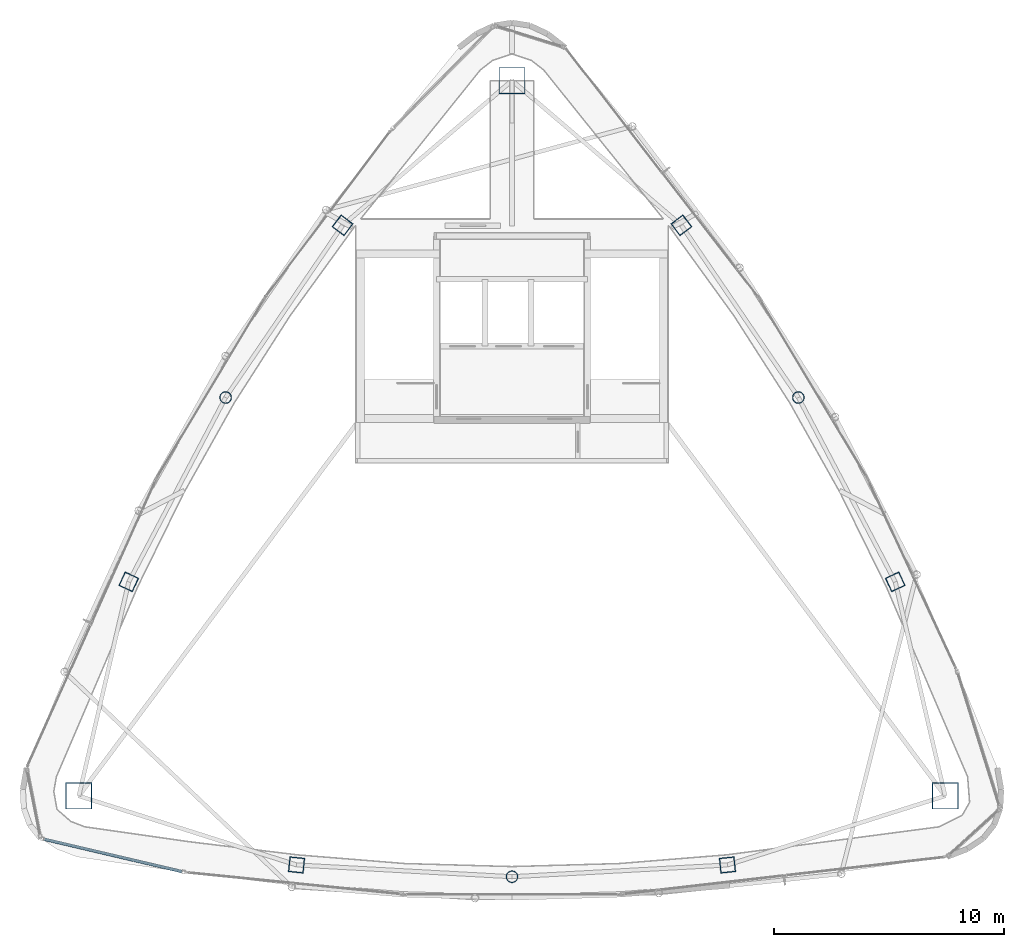
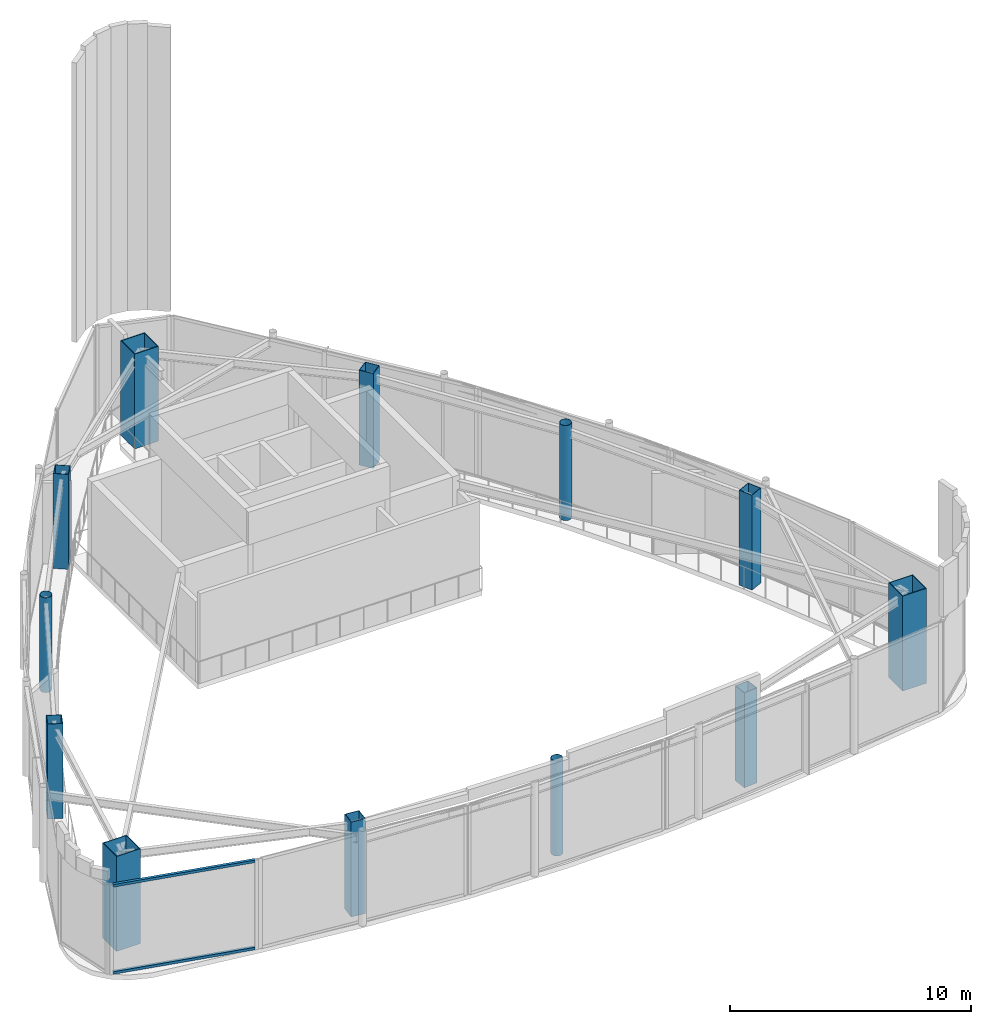
# One storey, part 1 of 18: 12 columns, 2 members, 1 element without a shape of its own.
"""IFC4 building model written with IfcOpenShell, lengths in metres."""

from ifc_helpers import new_model, si_unit, direction, frame, origin, origin_2d, place, context, subcontext, project, spatial, hollow_rectangle, hollow_circle, extrude, material, layer, layer_set, material_profile, profile_set, type_object, element, aggregate, save


model = new_model("IFC4")

# Units and contexts
model_context = context("Model", 3, precision=1e-05, world=origin(), true_north=direction((0.0, 1.0)))
body_context = subcontext(model_context, "Body", "Model", "MODEL_VIEW")
ifc_project = project(units=[si_unit("LENGTHUNIT", "METRE"), si_unit("AREAUNIT", "SQUARE_METRE"), si_unit("VOLUMEUNIT", "CUBIC_METRE"), si_unit("PLANEANGLEUNIT", "RADIAN"), si_unit("MASSUNIT", "GRAM", prefix="KILO")], contexts=[model_context])

# Site, building, storey
site_placement = place(None, origin())
site = spatial("IfcSite", under=ifc_project, at=site_placement, CompositionType="ELEMENT")
building_placement = place(site_placement, origin())
building = spatial("IfcBuilding", under=site, at=building_placement, Name="Orvanel Arch Residences", CompositionType="ELEMENT")
storey_placement = place(building_placement, frame((0.0, 0.0, 310.10009765625)))
storey = spatial("IfcBuildingStorey", under=building, at=storey_placement, Name="L86", CompositionType="ELEMENT", Elevation=310.10009765625)

# Columns
ifc_material_1 = material(Name="Structural steel AS/NZS 1163 C350L0 (Grade 350)", Category="steel")
ifc_material_profile_1 = material_profile(ifc_material_1, hollow_circle(Radius=0.25390625, WallThickness=0.01611328125, at=origin_2d()), Name="CHS508x16")
ifc_profile_set_1 = profile_set([ifc_material_profile_1], Name="Structural steel AS/NZS 1163 C350L0 (Grade 350)")
column_type_1 = type_object("IfcColumnType", Name="CC-508", PredefinedType="COLUMN", material=ifc_profile_set_1)
for number, where, z_axis, x_axis, name in (
    (1, (20.569091796875, 27.64111328125, 0.0), (0.0, 0.0, 1.0), (1.0, 0.0, 0.0), "L86 High-Rise Tube Column 02"),
    (2, (33.0, 6.843994140625, 0.0), (0.0, 0.0, 1.0), (1.0, 0.0, 0.0), "L86 High-Rise Tube Column 05"),
    (3, (45.430908203125, 27.64111328125, 0.0), (0.0, 0.0, 1.0), (1.0, 0.0, 0.0), "L86 High-Rise Tube Column 08"),
):
    element("IfcColumn", number, at=place(storey_placement, frame(where, z_axis=z_axis, x_axis=x_axis)), inside=storey, type_object=column_type_1, Name=name, PredefinedType="COLUMN", context=body_context, shape_type="SweptSolid", body=[
        extrude(hollow_circle(Radius=0.25390625, WallThickness=0.01611328125, at=origin_2d()), origin(), (0.0, 0.0, 1.0), 4.7998046875),
    ])
ifc_material_2 = material(Name="Structural steel AS/NZS 3678 Grade 450", Category="steel")
ifc_material_profile_2 = material_profile(ifc_material_2, hollow_rectangle(XDim=1.14990234375, YDim=1.14990234375, WallThickness=0.035888671875, at=origin_2d()), Name="BOX1150x1150x36")
ifc_profile_set_2 = profile_set([ifc_material_profile_2], Name="Structural steel AS/NZS 3678 Grade 450")
column_type_2 = type_object("IfcColumnType", Name="MC-1150", PredefinedType="COLUMN", material=ifc_profile_set_2)
for number, where, z_axis, x_axis, name in (
    (4, (33.0, 41.39794921875, 0.0), (0.0, 0.0, 1.0), (1.0, 0.0, 0.0), "L86 Corner Mega-Column 1"),
    (5, (14.198974609375, 10.35107421875, 0.0), (0.0, 0.0, 1.0), (1.0, 0.0, 0.0), "L86 Corner Mega-Column 2"),
    (6, (51.801025390625, 10.35107421875, 0.0), (0.0, 0.0, 1.0), (1.0, 0.0, 0.0), "L86 Corner Mega-Column 3"),
):
    element("IfcColumn", number, at=place(storey_placement, frame(where, z_axis=z_axis, x_axis=x_axis)), inside=storey, type_object=column_type_2, Name=name, PredefinedType="COLUMN", context=body_context, shape_type="SweptSolid", body=[
        extrude(hollow_rectangle(XDim=1.14990234375, YDim=1.14990234375, WallThickness=0.035888671875, at=origin_2d()), origin(), (0.0, 0.0, 1.0), 4.7998046875),
    ])
ifc_material_3 = material(Name="Structural steel AS/NZS 3678 Grade 350", Category="steel")
ifc_material_profile_3 = material_profile(ifc_material_3, hollow_rectangle(XDim=0.64990234375, YDim=0.64990234375, WallThickness=0.02197265625, at=origin_2d()), Name="BOX650x650x22")
ifc_profile_set_3 = profile_set([ifc_material_profile_3], Name="Structural steel AS/NZS 3678 Grade 350")
column_type_3 = type_object("IfcColumnType", Name="TC-650", PredefinedType="COLUMN", material=ifc_profile_set_3)
for number, where, z_axis, x_axis, name in (
    (7, (25.64794921875, 35.113037109375, 0.0), (0.0, 0.0, 1.0), (0.600420225326, 0.799684658487, 0.0), "L86 High-Rise Tube Column 01"),
    (8, (16.366943359375, 19.64208984375, 0.0), (0.0, 0.0, 1.0), (0.422618261741, 0.906307787037, 0.0), "L86 High-Rise Tube Column 03"),
    (9, (23.64892578125, 7.35498046875, 0.0), (0.0, 0.0, 1.0), (-0.994880708829, 0.101056297183, 0.0), "L86 High-Rise Tube Column 04"),
    (10, (42.35107421875, 7.35498046875, 0.0), (0.0, 0.0, 1.0), (0.994880708829, 0.101056297183, 0.0), "L86 High-Rise Tube Column 06"),
    (11, (49.633056640625, 19.64208984375, 0.0), (0.0, 0.0, 1.0), (-0.422618261741, 0.906307787037, 0.0), "L86 High-Rise Tube Column 07"),
    (12, (40.35205078125, 35.113037109375, 0.0), (0.0, 0.0, 1.0), (-0.600420225326, 0.799684658487, 0.0), "L86 High-Rise Tube Column 09"),
):
    element("IfcColumn", number, at=place(storey_placement, frame(where, z_axis=z_axis, x_axis=x_axis)), inside=storey, type_object=column_type_3, Name=name, PredefinedType="COLUMN", context=body_context, shape_type="SweptSolid", body=[
        extrude(hollow_rectangle(XDim=0.64990234375, YDim=0.64990234375, WallThickness=0.02197265625, at=origin_2d()), origin(), (0.0, 0.0, 1.0), 4.7998046875),
    ])

# Curtain wall, members
ifc_material_4 = material(Name="Bronze-anodised aluminium AA6063-T6", Category="aluminium")
ifc_layer = layer(ifc_material_4, 0.2099609375)
ifc_layer_set = layer_set([ifc_layer], Name="Bronze-anodised aluminium AA6063-T6")
curtain_wall_type = type_object("IfcCurtainWallType", Name="CW7-TOP-SYS", PredefinedType="NOTDEFINED", material=ifc_layer_set)
curtain_wall_placement = place(storey_placement, origin())
curtain_wall = element("IfcCurtainWall", 13, at=curtain_wall_placement, inside=storey, type_object=curtain_wall_type, Name="L86 CW7-TOP-SYS Unitised Curtain Wall", PredefinedType="NOTDEFINED")
ifc_material_profile_4 = material_profile(ifc_material_4, hollow_rectangle(XDim=0.1298828125, YDim=0.1298828125, WallThickness=0.00439453125, at=origin_2d()), Name="ALU130x130x4.5")
ifc_profile_set_4 = profile_set([ifc_material_profile_4], Name="Bronze-anodised aluminium AA6063-T6")
member_type = type_object("IfcMemberType", Name="TRN-130x130", PredefinedType="USERDEFINED", material=ifc_profile_set_4)
member_1_placement = place(storey_placement, frame((12.7060546875, 8.47265625, 0.06494140625), z_axis=(0.973511117585, -0.228639681462, 0.0), x_axis=(0.228639681462, 0.973511117585, 0.0)))
member_1 = element("IfcMember", 14, at=member_1_placement, type_object=member_type, Name="CW-S7 transom 1.1", ObjectType="TRANSOM", PredefinedType="USERDEFINED", context=body_context, shape_type="SweptSolid", body=[
    extrude(hollow_rectangle(XDim=0.1298828125, YDim=0.1298828125, WallThickness=0.00439453125, at=origin_2d()), origin(), (0.0, 0.0, 1.0), 6.129150390625),
])
member_2_placement = place(storey_placement, frame((12.7060546875, 8.47265625, 4.474853515625), z_axis=(0.973511117585, -0.228639681462, 0.0), x_axis=(0.228639681462, 0.973511117585, 0.0)))
member_2 = element("IfcMember", 15, at=member_2_placement, type_object=member_type, Name="CW-S7 transom 1.2", ObjectType="TRANSOM", PredefinedType="USERDEFINED", context=body_context, shape_type="SweptSolid", body=[
    extrude(hollow_rectangle(XDim=0.1298828125, YDim=0.1298828125, WallThickness=0.00439453125, at=origin_2d()), origin(), (0.0, 0.0, 1.0), 6.129150390625),
])
aggregate(curtain_wall, [member_1, member_2])

save(model, "model.ifc")
